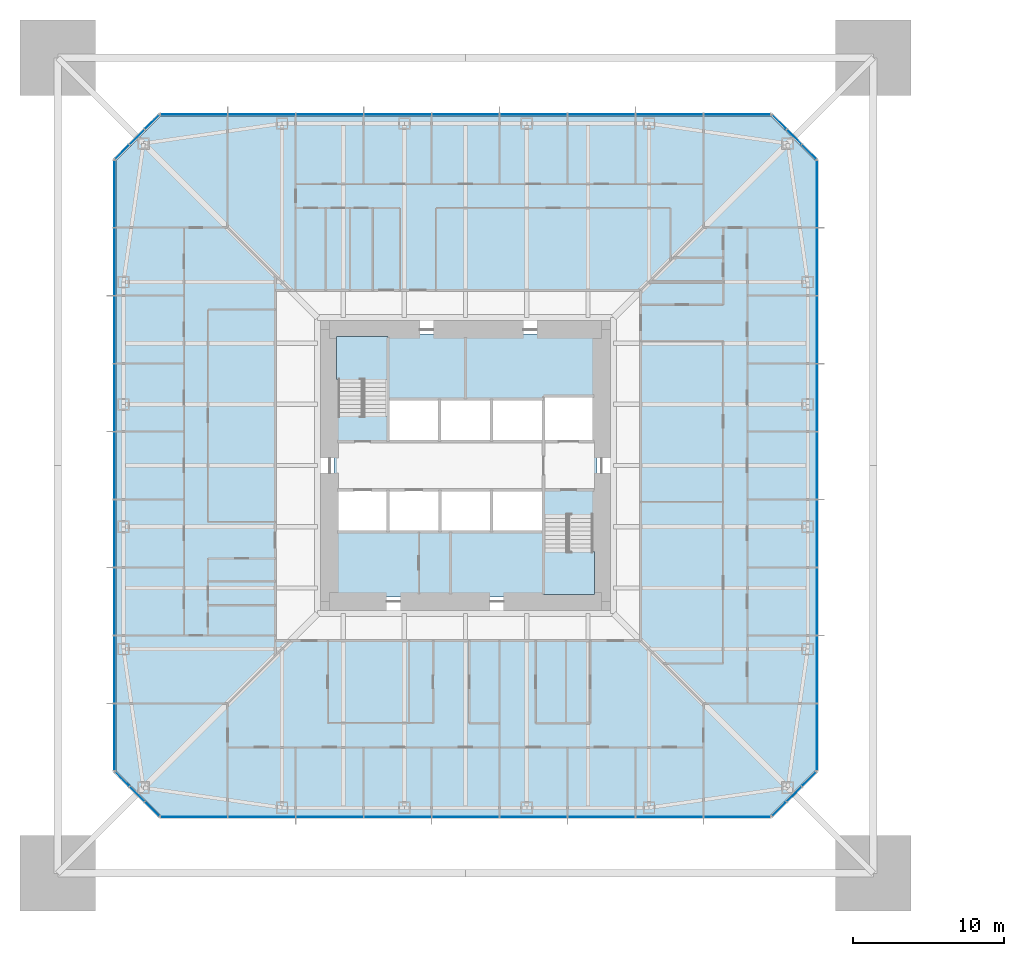
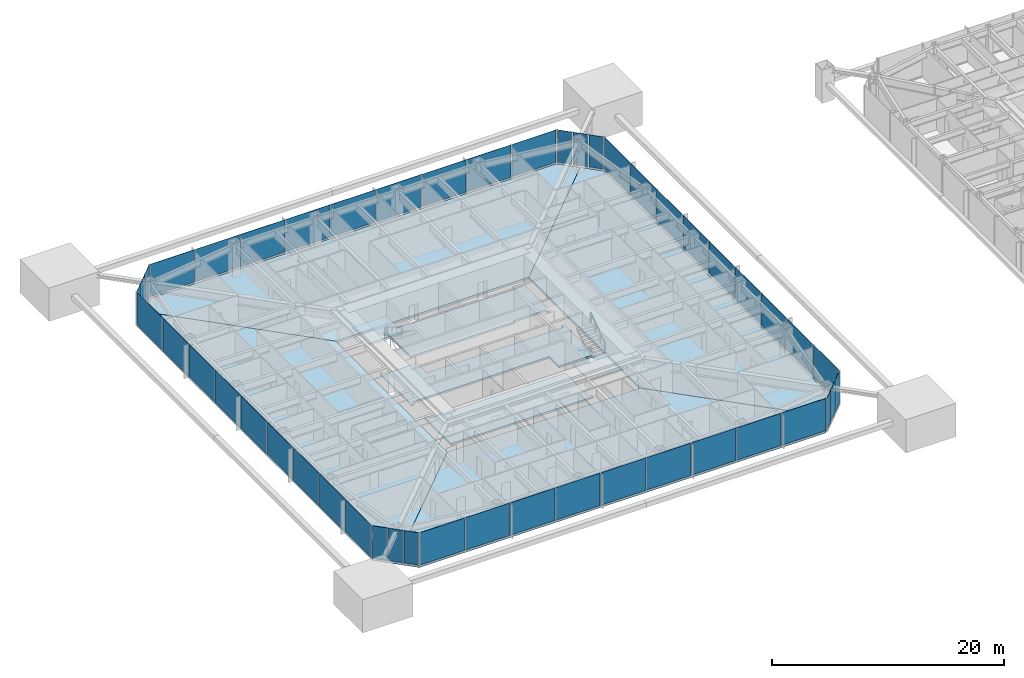
# One storey, part 13 of 27: 48 plates, 9 slabs, 10 elements without a shape of their own.
"""IFC4 building model written with IfcOpenShell, lengths in metres."""

from ifc_helpers import new_model, si_unit, direction, frame, origin, origin_2d, place, context, subcontext, project, spatial, polyline, rectangle, outline, extrude, material, layer, layer_set, constituent, constituent_set, type_object, element, aggregate, save


model = new_model("IFC4")

# Units and contexts
model_context = context("Model", 3, precision=1e-05, world=origin(), true_north=direction((0.0, 1.0)))
body_context = subcontext(model_context, "Body", "Model", "MODEL_VIEW")
ifc_project = project(units=[si_unit("LENGTHUNIT", "METRE"), si_unit("AREAUNIT", "SQUARE_METRE"), si_unit("VOLUMEUNIT", "CUBIC_METRE"), si_unit("PLANEANGLEUNIT", "RADIAN"), si_unit("MASSUNIT", "GRAM", prefix="KILO")], contexts=[model_context])

# Site, building, storey
site_placement = place(None, origin())
site = spatial("IfcSite", under=ifc_project, at=site_placement, CompositionType="ELEMENT")
building_placement = place(site_placement, origin())
building = spatial("IfcBuilding", under=site, at=building_placement, Name="Iwan Alto Co-Living Towers", CompositionType="ELEMENT")
storey_placement = place(building_placement, frame((0.0, 0.0, 53.5)))
storey = spatial("IfcBuildingStorey", under=building, at=storey_placement, Name="L14", CompositionType="ELEMENT", Elevation=53.5)

# Slabs
ifc_material_1 = material(Name="Concrete f'c 30 MPa", Category="concrete")
ifc_layer_1 = layer(ifc_material_1, 0.199951171875)
ifc_layer_set_1 = layer_set([ifc_layer_1], Name="CORE FLOOR SLAB 200")
slab_type_1 = type_object("IfcSlabType", Name="CORE FLOOR SLAB 200", PredefinedType="FLOOR", material=ifc_layer_set_1)
slab_1_placement = place(storey_placement, frame((0.0, 0.0, -0.199951171875)))
element("IfcSlab", 1, at=slab_1_placement, inside=storey, type_object=slab_type_1, Name="T1 core floor L14", PredefinedType="FLOOR", context=body_context, shape_type="SweptSolid", body=[
    extrude(outline(polyline([(8.699951171875, -3.580078125), (8.39990234375, -3.580078125), (8.39990234375, -3.27001953125), (5.14990234375, -3.27001953125), (5.14990234375, -1.60009765625), (1.72509765625, -1.60009765625), (-1.699951171875, -1.60009765625), (-5.125, -1.60009765625), (-8.39990234375, -1.60009765625), (-8.39990234375, -1.909912109375), (-8.699951171875, -1.909912109375), (-8.699951171875, 3.580078125), (-8.39990234375, 3.580078125), (-8.39990234375, 3.27001953125), (-5.14990234375, 3.27001953125), (-5.14990234375, 1.60009765625), (-1.717041015625, 1.60009765625), (1.717041015625, 1.60009765625), (5.14990234375, 1.60009765625), (8.39990234375, 1.60009765625), (8.39990234375, 1.909912109375), (8.699951171875, 1.909912109375), (8.699951171875, -3.580078125)])), origin(), (0.0, 0.0, 1.0), 0.199951171875),
])
slab_2_placement = place(storey_placement, frame((0.0, 0.0, -0.199951171875)))
element("IfcSlab", 2, at=slab_2_placement, inside=storey, type_object=slab_type_1, Name="T1 core floor L14", PredefinedType="FLOOR", context=body_context, shape_type="SweptSolid", body=[
    extrude(outline(polyline([(-1.699951171875, -4.39990234375), (1.72509765625, -4.39990234375), (5.14990234375, -4.39990234375), (5.14990234375, -8.39990234375), (5.4599609375, -8.39990234375), (5.4599609375, -8.699951171875), (-8.699951171875, -8.699951171875), (-8.699951171875, -4.090087890625), (-8.39990234375, -4.090087890625), (-8.39990234375, -4.39990234375), (-5.125, -4.39990234375), (-1.699951171875, -4.39990234375)])), origin(), (0.0, 0.0, 1.0), 0.199951171875),
])
slab_3_placement = place(storey_placement, frame((0.0, 0.0, -0.199951171875)))
element("IfcSlab", 3, at=slab_3_placement, inside=storey, type_object=slab_type_1, Name="T1 core floor L14", PredefinedType="FLOOR", context=body_context, shape_type="SweptSolid", body=[
    extrude(outline(polyline([(1.717041015625, 4.39990234375), (-1.717041015625, 4.39990234375), (-5.14990234375, 4.39990234375), (-5.14990234375, 8.39990234375), (-5.4599609375, 8.39990234375), (-5.4599609375, 8.699951171875), (8.699951171875, 8.699951171875), (8.699951171875, 4.2900390625), (8.39990234375, 4.2900390625), (8.39990234375, 4.60009765625), (5.14990234375, 4.60009765625), (5.14990234375, 4.39990234375), (1.717041015625, 4.39990234375)])), origin(), (0.0, 0.0, 1.0), 0.199951171875),
])

# Curtain wall, plates
ifc_material_2 = material(Name="Bronze aluminium unitised frame", Category="aluminium")
curtain_wall_type_1 = type_object("IfcCurtainWallType", Name="CURTAIN WALL CW-A", PredefinedType="NOTDEFINED", material=ifc_material_2)
curtain_wall_1_placement = place(storey_placement, origin())
curtain_wall_1 = element("IfcCurtainWall", 4, at=curtain_wall_1_placement, inside=storey, type_object=curtain_wall_type_1, Name="T1 curtain wall S L14", PredefinedType="NOTDEFINED")
ifc_material_3 = material(Name="Bronze-tinted insulating glass", Category="glass")
ifc_layer_2 = layer(ifc_material_3, 0.031982421875)
ifc_layer_set_2 = layer_set([ifc_layer_2], Name="CW-A PANEL TINTED IGU 32")
plate_type_1 = type_object("IfcPlateType", Name="CW-A PANEL TINTED IGU 32", PredefinedType="CURTAIN_PANEL", material=ifc_layer_set_2)
plate_1_placement = place(storey_placement, frame((-17.97998046875, -23.25, 0.10009765625), z_axis=(0.0, 0.0, 1.0), x_axis=(1.0, 0.0, 0.0)))
plate_1 = element("IfcPlate", 5, at=plate_1_placement, type_object=plate_type_1, Name="CW-A panel 1.1", PredefinedType="CURTAIN_PANEL", context=body_context, shape_type="SweptSolid", body=[
    extrude(rectangle(XDim=4.3798828125, YDim=0.031982421875, at=origin_2d()), origin(), (0.0, 0.0, 1.0), 3.39990234375),
])
plate_2_placement = place(storey_placement, frame((-13.5, -23.25, 0.10009765625), z_axis=(0.0, 0.0, 1.0), x_axis=(1.0, 0.0, 0.0)))
plate_2 = element("IfcPlate", 6, at=plate_2_placement, type_object=plate_type_1, Name="CW-A panel 2.1", PredefinedType="CURTAIN_PANEL", context=body_context, shape_type="SweptSolid", body=[
    extrude(rectangle(XDim=4.419921875, YDim=0.031982421875, at=origin_2d()), origin(), (0.0, 0.0, 1.0), 3.39990234375),
])
plate_3_placement = place(storey_placement, frame((-9.0, -23.25, 0.10009765625), z_axis=(0.0, 0.0, 1.0), x_axis=(1.0, 0.0, 0.0)))
plate_3 = element("IfcPlate", 7, at=plate_3_placement, type_object=plate_type_1, Name="CW-A panel 3.1", PredefinedType="CURTAIN_PANEL", context=body_context, shape_type="SweptSolid", body=[
    extrude(rectangle(XDim=4.419921875, YDim=0.031982421875, at=origin_2d()), origin(), (0.0, 0.0, 1.0), 3.39990234375),
])
plate_4_placement = place(storey_placement, frame((-4.5, -23.25, 0.10009765625), z_axis=(0.0, 0.0, 1.0), x_axis=(1.0, 0.0, 0.0)))
plate_4 = element("IfcPlate", 8, at=plate_4_placement, type_object=plate_type_1, Name="CW-A panel 4.1", PredefinedType="CURTAIN_PANEL", context=body_context, shape_type="SweptSolid", body=[
    extrude(rectangle(XDim=4.419921875, YDim=0.031982421875, at=origin_2d()), origin(), (0.0, 0.0, 1.0), 3.39990234375),
])
plate_5_placement = place(storey_placement, frame((0.0, -23.25, 0.10009765625), z_axis=(0.0, 0.0, 1.0), x_axis=(1.0, 0.0, 0.0)))
plate_5 = element("IfcPlate", 9, at=plate_5_placement, type_object=plate_type_1, Name="CW-A panel 5.1", PredefinedType="CURTAIN_PANEL", context=body_context, shape_type="SweptSolid", body=[
    extrude(rectangle(XDim=4.419921875, YDim=0.031982421875, at=origin_2d()), origin(), (0.0, 0.0, 1.0), 3.39990234375),
])
plate_6_placement = place(storey_placement, frame((4.5, -23.25, 0.10009765625), z_axis=(0.0, 0.0, 1.0), x_axis=(1.0, 0.0, 0.0)))
plate_6 = element("IfcPlate", 10, at=plate_6_placement, type_object=plate_type_1, Name="CW-A panel 6.1", PredefinedType="CURTAIN_PANEL", context=body_context, shape_type="SweptSolid", body=[
    extrude(rectangle(XDim=4.419921875, YDim=0.031982421875, at=origin_2d()), origin(), (0.0, 0.0, 1.0), 3.39990234375),
])
plate_7_placement = place(storey_placement, frame((9.0, -23.25, 0.10009765625), z_axis=(0.0, 0.0, 1.0), x_axis=(1.0, 0.0, 0.0)))
plate_7 = element("IfcPlate", 11, at=plate_7_placement, type_object=plate_type_1, Name="CW-A panel 7.1", PredefinedType="CURTAIN_PANEL", context=body_context, shape_type="SweptSolid", body=[
    extrude(rectangle(XDim=4.419921875, YDim=0.031982421875, at=origin_2d()), origin(), (0.0, 0.0, 1.0), 3.39990234375),
])
plate_8_placement = place(storey_placement, frame((13.5, -23.25, 0.10009765625), z_axis=(0.0, 0.0, 1.0), x_axis=(1.0, 0.0, 0.0)))
plate_8 = element("IfcPlate", 12, at=plate_8_placement, type_object=plate_type_1, Name="CW-A panel 8.1", PredefinedType="CURTAIN_PANEL", context=body_context, shape_type="SweptSolid", body=[
    extrude(rectangle(XDim=4.419921875, YDim=0.031982421875, at=origin_2d()), origin(), (0.0, 0.0, 1.0), 3.39990234375),
])
plate_9_placement = place(storey_placement, frame((17.97998046875, -23.25, 0.10009765625), z_axis=(0.0, 0.0, 1.0), x_axis=(1.0, 0.0, 0.0)))
plate_9 = element("IfcPlate", 13, at=plate_9_placement, type_object=plate_type_1, Name="CW-A panel 9.1", PredefinedType="CURTAIN_PANEL", context=body_context, shape_type="SweptSolid", body=[
    extrude(rectangle(XDim=4.3798828125, YDim=0.031982421875, at=origin_2d()), origin(), (0.0, 0.0, 1.0), 3.39990234375),
])
aggregate(curtain_wall_1, [plate_1, plate_2, plate_3, plate_4, plate_5, plate_6, plate_7, plate_8, plate_9])

curtain_wall_2_placement = place(storey_placement, origin())
curtain_wall_2 = element("IfcCurtainWall", 14, at=curtain_wall_2_placement, inside=storey, type_object=curtain_wall_type_1, Name="T1 curtain wall E L14", PredefinedType="NOTDEFINED")
plate_10_placement = place(storey_placement, frame((23.25, -17.97998046875, 0.10009765625), z_axis=(0.0, 0.0, 1.0), x_axis=(0.0, 1.0, 0.0)))
plate_10 = element("IfcPlate", 15, at=plate_10_placement, type_object=plate_type_1, Name="CW-A panel 1.1", PredefinedType="CURTAIN_PANEL", context=body_context, shape_type="SweptSolid", body=[
    extrude(rectangle(XDim=4.3798828125, YDim=0.031982421875, at=origin_2d()), origin(), (0.0, 0.0, 1.0), 3.39990234375),
])
plate_11_placement = place(storey_placement, frame((23.25, -13.5, 0.10009765625), z_axis=(0.0, 0.0, 1.0), x_axis=(0.0, 1.0, 0.0)))
plate_11 = element("IfcPlate", 16, at=plate_11_placement, type_object=plate_type_1, Name="CW-A panel 2.1", PredefinedType="CURTAIN_PANEL", context=body_context, shape_type="SweptSolid", body=[
    extrude(rectangle(XDim=4.419921875, YDim=0.031982421875, at=origin_2d()), origin(), (0.0, 0.0, 1.0), 3.39990234375),
])
plate_12_placement = place(storey_placement, frame((23.25, -9.0, 0.10009765625), z_axis=(0.0, 0.0, 1.0), x_axis=(0.0, 1.0, 0.0)))
plate_12 = element("IfcPlate", 17, at=plate_12_placement, type_object=plate_type_1, Name="CW-A panel 3.1", PredefinedType="CURTAIN_PANEL", context=body_context, shape_type="SweptSolid", body=[
    extrude(rectangle(XDim=4.419921875, YDim=0.031982421875, at=origin_2d()), origin(), (0.0, 0.0, 1.0), 3.39990234375),
])
plate_13_placement = place(storey_placement, frame((23.25, -4.5, 0.10009765625), z_axis=(0.0, 0.0, 1.0), x_axis=(0.0, 1.0, 0.0)))
plate_13 = element("IfcPlate", 18, at=plate_13_placement, type_object=plate_type_1, Name="CW-A panel 4.1", PredefinedType="CURTAIN_PANEL", context=body_context, shape_type="SweptSolid", body=[
    extrude(rectangle(XDim=4.419921875, YDim=0.031982421875, at=origin_2d()), origin(), (0.0, 0.0, 1.0), 3.39990234375),
])
plate_14_placement = place(storey_placement, frame((23.25, 0.0, 0.10009765625), z_axis=(0.0, 0.0, 1.0), x_axis=(0.0, 1.0, 0.0)))
plate_14 = element("IfcPlate", 19, at=plate_14_placement, type_object=plate_type_1, Name="CW-A panel 5.1", PredefinedType="CURTAIN_PANEL", context=body_context, shape_type="SweptSolid", body=[
    extrude(rectangle(XDim=4.419921875, YDim=0.031982421875, at=origin_2d()), origin(), (0.0, 0.0, 1.0), 3.39990234375),
])
plate_15_placement = place(storey_placement, frame((23.25, 4.5, 0.10009765625), z_axis=(0.0, 0.0, 1.0), x_axis=(0.0, 1.0, 0.0)))
plate_15 = element("IfcPlate", 20, at=plate_15_placement, type_object=plate_type_1, Name="CW-A panel 6.1", PredefinedType="CURTAIN_PANEL", context=body_context, shape_type="SweptSolid", body=[
    extrude(rectangle(XDim=4.419921875, YDim=0.031982421875, at=origin_2d()), origin(), (0.0, 0.0, 1.0), 3.39990234375),
])
plate_16_placement = place(storey_placement, frame((23.25, 9.0, 0.10009765625), z_axis=(0.0, 0.0, 1.0), x_axis=(0.0, 1.0, 0.0)))
plate_16 = element("IfcPlate", 21, at=plate_16_placement, type_object=plate_type_1, Name="CW-A panel 7.1", PredefinedType="CURTAIN_PANEL", context=body_context, shape_type="SweptSolid", body=[
    extrude(rectangle(XDim=4.419921875, YDim=0.031982421875, at=origin_2d()), origin(), (0.0, 0.0, 1.0), 3.39990234375),
])
plate_17_placement = place(storey_placement, frame((23.25, 13.5, 0.10009765625), z_axis=(0.0, 0.0, 1.0), x_axis=(0.0, 1.0, 0.0)))
plate_17 = element("IfcPlate", 22, at=plate_17_placement, type_object=plate_type_1, Name="CW-A panel 8.1", PredefinedType="CURTAIN_PANEL", context=body_context, shape_type="SweptSolid", body=[
    extrude(rectangle(XDim=4.419921875, YDim=0.031982421875, at=origin_2d()), origin(), (0.0, 0.0, 1.0), 3.39990234375),
])
plate_18_placement = place(storey_placement, frame((23.25, 17.97998046875, 0.10009765625), z_axis=(0.0, 0.0, 1.0), x_axis=(0.0, 1.0, 0.0)))
plate_18 = element("IfcPlate", 23, at=plate_18_placement, type_object=plate_type_1, Name="CW-A panel 9.1", PredefinedType="CURTAIN_PANEL", context=body_context, shape_type="SweptSolid", body=[
    extrude(rectangle(XDim=4.3798828125, YDim=0.031982421875, at=origin_2d()), origin(), (0.0, 0.0, 1.0), 3.39990234375),
])
aggregate(curtain_wall_2, [plate_10, plate_11, plate_12, plate_13, plate_14, plate_15, plate_16, plate_17, plate_18])

curtain_wall_3_placement = place(storey_placement, origin())
curtain_wall_3 = element("IfcCurtainWall", 24, at=curtain_wall_3_placement, inside=storey, type_object=curtain_wall_type_1, Name="T1 curtain wall N L14", PredefinedType="NOTDEFINED")
plate_19_placement = place(storey_placement, frame((17.97998046875, 23.25, 0.10009765625), z_axis=(0.0, 0.0, 1.0), x_axis=(-1.0, 0.0, 0.0)))
plate_19 = element("IfcPlate", 25, at=plate_19_placement, type_object=plate_type_1, Name="CW-A panel 1.1", PredefinedType="CURTAIN_PANEL", context=body_context, shape_type="SweptSolid", body=[
    extrude(rectangle(XDim=4.3798828125, YDim=0.031982421875, at=origin_2d()), origin(), (0.0, 0.0, 1.0), 3.39990234375),
])
plate_20_placement = place(storey_placement, frame((13.5, 23.25, 0.10009765625), z_axis=(0.0, 0.0, 1.0), x_axis=(-1.0, 0.0, 0.0)))
plate_20 = element("IfcPlate", 26, at=plate_20_placement, type_object=plate_type_1, Name="CW-A panel 2.1", PredefinedType="CURTAIN_PANEL", context=body_context, shape_type="SweptSolid", body=[
    extrude(rectangle(XDim=4.419921875, YDim=0.031982421875, at=origin_2d()), origin(), (0.0, 0.0, 1.0), 3.39990234375),
])
plate_21_placement = place(storey_placement, frame((9.0, 23.25, 0.10009765625), z_axis=(0.0, 0.0, 1.0), x_axis=(-1.0, 0.0, 0.0)))
plate_21 = element("IfcPlate", 27, at=plate_21_placement, type_object=plate_type_1, Name="CW-A panel 3.1", PredefinedType="CURTAIN_PANEL", context=body_context, shape_type="SweptSolid", body=[
    extrude(rectangle(XDim=4.419921875, YDim=0.031982421875, at=origin_2d()), origin(), (0.0, 0.0, 1.0), 3.39990234375),
])
plate_22_placement = place(storey_placement, frame((4.5, 23.25, 0.10009765625), z_axis=(0.0, 0.0, 1.0), x_axis=(-1.0, 0.0, 0.0)))
plate_22 = element("IfcPlate", 28, at=plate_22_placement, type_object=plate_type_1, Name="CW-A panel 4.1", PredefinedType="CURTAIN_PANEL", context=body_context, shape_type="SweptSolid", body=[
    extrude(rectangle(XDim=4.419921875, YDim=0.031982421875, at=origin_2d()), origin(), (0.0, 0.0, 1.0), 3.39990234375),
])
plate_23_placement = place(storey_placement, frame((0.0, 23.25, 0.10009765625), z_axis=(0.0, 0.0, 1.0), x_axis=(-1.0, 0.0, 0.0)))
plate_23 = element("IfcPlate", 29, at=plate_23_placement, type_object=plate_type_1, Name="CW-A panel 5.1", PredefinedType="CURTAIN_PANEL", context=body_context, shape_type="SweptSolid", body=[
    extrude(rectangle(XDim=4.419921875, YDim=0.031982421875, at=origin_2d()), origin(), (0.0, 0.0, 1.0), 3.39990234375),
])
plate_24_placement = place(storey_placement, frame((-4.5, 23.25, 0.10009765625), z_axis=(0.0, 0.0, 1.0), x_axis=(-1.0, 0.0, 0.0)))
plate_24 = element("IfcPlate", 30, at=plate_24_placement, type_object=plate_type_1, Name="CW-A panel 6.1", PredefinedType="CURTAIN_PANEL", context=body_context, shape_type="SweptSolid", body=[
    extrude(rectangle(XDim=4.419921875, YDim=0.031982421875, at=origin_2d()), origin(), (0.0, 0.0, 1.0), 3.39990234375),
])
plate_25_placement = place(storey_placement, frame((-9.0, 23.25, 0.10009765625), z_axis=(0.0, 0.0, 1.0), x_axis=(-1.0, 0.0, 0.0)))
plate_25 = element("IfcPlate", 31, at=plate_25_placement, type_object=plate_type_1, Name="CW-A panel 7.1", PredefinedType="CURTAIN_PANEL", context=body_context, shape_type="SweptSolid", body=[
    extrude(rectangle(XDim=4.419921875, YDim=0.031982421875, at=origin_2d()), origin(), (0.0, 0.0, 1.0), 3.39990234375),
])
plate_26_placement = place(storey_placement, frame((-13.5, 23.25, 0.10009765625), z_axis=(0.0, 0.0, 1.0), x_axis=(-1.0, 0.0, 0.0)))
plate_26 = element("IfcPlate", 32, at=plate_26_placement, type_object=plate_type_1, Name="CW-A panel 8.1", PredefinedType="CURTAIN_PANEL", context=body_context, shape_type="SweptSolid", body=[
    extrude(rectangle(XDim=4.419921875, YDim=0.031982421875, at=origin_2d()), origin(), (0.0, 0.0, 1.0), 3.39990234375),
])
plate_27_placement = place(storey_placement, frame((-17.97998046875, 23.25, 0.10009765625), z_axis=(0.0, 0.0, 1.0), x_axis=(-1.0, 0.0, 0.0)))
plate_27 = element("IfcPlate", 33, at=plate_27_placement, type_object=plate_type_1, Name="CW-A panel 9.1", PredefinedType="CURTAIN_PANEL", context=body_context, shape_type="SweptSolid", body=[
    extrude(rectangle(XDim=4.3798828125, YDim=0.031982421875, at=origin_2d()), origin(), (0.0, 0.0, 1.0), 3.39990234375),
])
aggregate(curtain_wall_3, [plate_19, plate_20, plate_21, plate_22, plate_23, plate_24, plate_25, plate_26, plate_27])

curtain_wall_4_placement = place(storey_placement, origin())
curtain_wall_4 = element("IfcCurtainWall", 34, at=curtain_wall_4_placement, inside=storey, type_object=curtain_wall_type_1, Name="T1 curtain wall W L14", PredefinedType="NOTDEFINED")
plate_28_placement = place(storey_placement, frame((-23.25, 17.97998046875, 0.10009765625), z_axis=(0.0, 0.0, 1.0), x_axis=(0.0, -1.0, 0.0)))
plate_28 = element("IfcPlate", 35, at=plate_28_placement, type_object=plate_type_1, Name="CW-A panel 1.1", PredefinedType="CURTAIN_PANEL", context=body_context, shape_type="SweptSolid", body=[
    extrude(rectangle(XDim=4.3798828125, YDim=0.031982421875, at=origin_2d()), origin(), (0.0, 0.0, 1.0), 3.39990234375),
])
plate_29_placement = place(storey_placement, frame((-23.25, 13.5, 0.10009765625), z_axis=(0.0, 0.0, 1.0), x_axis=(0.0, -1.0, 0.0)))
plate_29 = element("IfcPlate", 36, at=plate_29_placement, type_object=plate_type_1, Name="CW-A panel 2.1", PredefinedType="CURTAIN_PANEL", context=body_context, shape_type="SweptSolid", body=[
    extrude(rectangle(XDim=4.419921875, YDim=0.031982421875, at=origin_2d()), origin(), (0.0, 0.0, 1.0), 3.39990234375),
])
plate_30_placement = place(storey_placement, frame((-23.25, 9.0, 0.10009765625), z_axis=(0.0, 0.0, 1.0), x_axis=(0.0, -1.0, 0.0)))
plate_30 = element("IfcPlate", 37, at=plate_30_placement, type_object=plate_type_1, Name="CW-A panel 3.1", PredefinedType="CURTAIN_PANEL", context=body_context, shape_type="SweptSolid", body=[
    extrude(rectangle(XDim=4.419921875, YDim=0.031982421875, at=origin_2d()), origin(), (0.0, 0.0, 1.0), 3.39990234375),
])
plate_31_placement = place(storey_placement, frame((-23.25, 4.5, 0.10009765625), z_axis=(0.0, 0.0, 1.0), x_axis=(0.0, -1.0, 0.0)))
plate_31 = element("IfcPlate", 38, at=plate_31_placement, type_object=plate_type_1, Name="CW-A panel 4.1", PredefinedType="CURTAIN_PANEL", context=body_context, shape_type="SweptSolid", body=[
    extrude(rectangle(XDim=4.419921875, YDim=0.031982421875, at=origin_2d()), origin(), (0.0, 0.0, 1.0), 3.39990234375),
])
plate_32_placement = place(storey_placement, frame((-23.25, 0.0, 0.10009765625), z_axis=(0.0, 0.0, 1.0), x_axis=(0.0, -1.0, 0.0)))
plate_32 = element("IfcPlate", 39, at=plate_32_placement, type_object=plate_type_1, Name="CW-A panel 5.1", PredefinedType="CURTAIN_PANEL", context=body_context, shape_type="SweptSolid", body=[
    extrude(rectangle(XDim=4.419921875, YDim=0.031982421875, at=origin_2d()), origin(), (0.0, 0.0, 1.0), 3.39990234375),
])
plate_33_placement = place(storey_placement, frame((-23.25, -4.5, 0.10009765625), z_axis=(0.0, 0.0, 1.0), x_axis=(0.0, -1.0, 0.0)))
plate_33 = element("IfcPlate", 40, at=plate_33_placement, type_object=plate_type_1, Name="CW-A panel 6.1", PredefinedType="CURTAIN_PANEL", context=body_context, shape_type="SweptSolid", body=[
    extrude(rectangle(XDim=4.419921875, YDim=0.031982421875, at=origin_2d()), origin(), (0.0, 0.0, 1.0), 3.39990234375),
])
plate_34_placement = place(storey_placement, frame((-23.25, -9.0, 0.10009765625), z_axis=(0.0, 0.0, 1.0), x_axis=(0.0, -1.0, 0.0)))
plate_34 = element("IfcPlate", 41, at=plate_34_placement, type_object=plate_type_1, Name="CW-A panel 7.1", PredefinedType="CURTAIN_PANEL", context=body_context, shape_type="SweptSolid", body=[
    extrude(rectangle(XDim=4.419921875, YDim=0.031982421875, at=origin_2d()), origin(), (0.0, 0.0, 1.0), 3.39990234375),
])
plate_35_placement = place(storey_placement, frame((-23.25, -13.5, 0.10009765625), z_axis=(0.0, 0.0, 1.0), x_axis=(0.0, -1.0, 0.0)))
plate_35 = element("IfcPlate", 42, at=plate_35_placement, type_object=plate_type_1, Name="CW-A panel 8.1", PredefinedType="CURTAIN_PANEL", context=body_context, shape_type="SweptSolid", body=[
    extrude(rectangle(XDim=4.419921875, YDim=0.031982421875, at=origin_2d()), origin(), (0.0, 0.0, 1.0), 3.39990234375),
])
plate_36_placement = place(storey_placement, frame((-23.25, -17.97998046875, 0.10009765625), z_axis=(0.0, 0.0, 1.0), x_axis=(0.0, -1.0, 0.0)))
plate_36 = element("IfcPlate", 43, at=plate_36_placement, type_object=plate_type_1, Name="CW-A panel 9.1", PredefinedType="CURTAIN_PANEL", context=body_context, shape_type="SweptSolid", body=[
    extrude(rectangle(XDim=4.3798828125, YDim=0.031982421875, at=origin_2d()), origin(), (0.0, 0.0, 1.0), 3.39990234375),
])
aggregate(curtain_wall_4, [plate_28, plate_29, plate_30, plate_31, plate_32, plate_33, plate_34, plate_35, plate_36])

ifc_material_4 = material(Name="Bronze aluminium unitised frame", Category="aluminium")
curtain_wall_type_2 = type_object("IfcCurtainWallType", Name="CURTAIN WALL CW-B", PredefinedType="NOTDEFINED", material=ifc_material_4)
curtain_wall_5_placement = place(storey_placement, origin())
curtain_wall_5 = element("IfcCurtainWall", 44, at=curtain_wall_5_placement, inside=storey, type_object=curtain_wall_type_2, Name="T1 chamfer curtain wall SE L14", PredefinedType="NOTDEFINED")
ifc_material_5 = material(Name="Bronze-tinted insulating glass", Category="glass")
ifc_layer_3 = layer(ifc_material_5, 0.031982421875)
ifc_layer_set_3 = layer_set([ifc_layer_3], Name="CW-B PANEL TINTED IGU 32")
plate_type_2 = type_object("IfcPlateType", Name="CW-B PANEL TINTED IGU 32", PredefinedType="CURTAIN_PANEL", material=ifc_layer_set_3)
plate_37_placement = place(storey_placement, frame((20.76416015625, -22.73583984375, 0.10009765625), z_axis=(0.0, 0.0, 1.0), x_axis=(0.707106781187, 0.707106781187, 0.0)))
plate_37 = element("IfcPlate", 45, at=plate_37_placement, type_object=plate_type_2, Name="CW-B panel 1.1", PredefinedType="CURTAIN_PANEL", context=body_context, shape_type="SweptSolid", body=[
    extrude(rectangle(XDim=1.294189453125, YDim=0.031982421875, at=origin_2d()), origin(), (0.0, 0.0, 1.0), 3.39990234375),
])
plate_38_placement = place(storey_placement, frame((21.75, -21.75, 0.10009765625), z_axis=(0.0, 0.0, 1.0), x_axis=(0.707106781187, 0.707106781187, 0.0)))
plate_38 = element("IfcPlate", 46, at=plate_38_placement, type_object=plate_type_2, Name="CW-B panel 2.1", PredefinedType="CURTAIN_PANEL", context=body_context, shape_type="SweptSolid", body=[
    extrude(rectangle(XDim=1.334228515625, YDim=0.031982421875, at=origin_2d()), origin(), (0.0, 0.0, 1.0), 3.39990234375),
])
plate_39_placement = place(storey_placement, frame((22.73583984375, -20.76416015625, 0.10009765625), z_axis=(0.0, 0.0, 1.0), x_axis=(0.707106781187, 0.707106781187, 0.0)))
plate_39 = element("IfcPlate", 47, at=plate_39_placement, type_object=plate_type_2, Name="CW-B panel 3.1", PredefinedType="CURTAIN_PANEL", context=body_context, shape_type="SweptSolid", body=[
    extrude(rectangle(XDim=1.294189453125, YDim=0.031982421875, at=origin_2d()), origin(), (0.0, 0.0, 1.0), 3.39990234375),
])
aggregate(curtain_wall_5, [plate_37, plate_38, plate_39])

curtain_wall_6_placement = place(storey_placement, origin())
curtain_wall_6 = element("IfcCurtainWall", 48, at=curtain_wall_6_placement, inside=storey, type_object=curtain_wall_type_2, Name="T1 chamfer curtain wall NE L14", PredefinedType="NOTDEFINED")
plate_40_placement = place(storey_placement, frame((22.73583984375, 20.76416015625, 0.10009765625), z_axis=(0.0, 0.0, 1.0), x_axis=(-0.707106781187, 0.707106781187, 0.0)))
plate_40 = element("IfcPlate", 49, at=plate_40_placement, type_object=plate_type_2, Name="CW-B panel 1.1", PredefinedType="CURTAIN_PANEL", context=body_context, shape_type="SweptSolid", body=[
    extrude(rectangle(XDim=1.294189453125, YDim=0.031982421875, at=origin_2d()), origin(), (0.0, 0.0, 1.0), 3.39990234375),
])
plate_41_placement = place(storey_placement, frame((21.75, 21.75, 0.10009765625), z_axis=(0.0, 0.0, 1.0), x_axis=(-0.707106781187, 0.707106781187, 0.0)))
plate_41 = element("IfcPlate", 50, at=plate_41_placement, type_object=plate_type_2, Name="CW-B panel 2.1", PredefinedType="CURTAIN_PANEL", context=body_context, shape_type="SweptSolid", body=[
    extrude(rectangle(XDim=1.334228515625, YDim=0.031982421875, at=origin_2d()), origin(), (0.0, 0.0, 1.0), 3.39990234375),
])
plate_42_placement = place(storey_placement, frame((20.76416015625, 22.73583984375, 0.10009765625), z_axis=(0.0, 0.0, 1.0), x_axis=(-0.707106781187, 0.707106781187, 0.0)))
plate_42 = element("IfcPlate", 51, at=plate_42_placement, type_object=plate_type_2, Name="CW-B panel 3.1", PredefinedType="CURTAIN_PANEL", context=body_context, shape_type="SweptSolid", body=[
    extrude(rectangle(XDim=1.294189453125, YDim=0.031982421875, at=origin_2d()), origin(), (0.0, 0.0, 1.0), 3.39990234375),
])
aggregate(curtain_wall_6, [plate_40, plate_41, plate_42])

curtain_wall_7_placement = place(storey_placement, origin())
curtain_wall_7 = element("IfcCurtainWall", 52, at=curtain_wall_7_placement, inside=storey, type_object=curtain_wall_type_2, Name="T1 chamfer curtain wall NW L14", PredefinedType="NOTDEFINED")
plate_43_placement = place(storey_placement, frame((-20.76416015625, 22.73583984375, 0.10009765625), z_axis=(0.0, 0.0, 1.0), x_axis=(-0.707106781187, -0.707106781187, 0.0)))
plate_43 = element("IfcPlate", 53, at=plate_43_placement, type_object=plate_type_2, Name="CW-B panel 1.1", PredefinedType="CURTAIN_PANEL", context=body_context, shape_type="SweptSolid", body=[
    extrude(rectangle(XDim=1.294189453125, YDim=0.031982421875, at=origin_2d()), origin(), (0.0, 0.0, 1.0), 3.39990234375),
])
plate_44_placement = place(storey_placement, frame((-21.75, 21.75, 0.10009765625), z_axis=(0.0, 0.0, 1.0), x_axis=(-0.707106781187, -0.707106781187, 0.0)))
plate_44 = element("IfcPlate", 54, at=plate_44_placement, type_object=plate_type_2, Name="CW-B panel 2.1", PredefinedType="CURTAIN_PANEL", context=body_context, shape_type="SweptSolid", body=[
    extrude(rectangle(XDim=1.334228515625, YDim=0.031982421875, at=origin_2d()), origin(), (0.0, 0.0, 1.0), 3.39990234375),
])
plate_45_placement = place(storey_placement, frame((-22.73583984375, 20.76416015625, 0.10009765625), z_axis=(0.0, 0.0, 1.0), x_axis=(-0.707106781187, -0.707106781187, 0.0)))
plate_45 = element("IfcPlate", 55, at=plate_45_placement, type_object=plate_type_2, Name="CW-B panel 3.1", PredefinedType="CURTAIN_PANEL", context=body_context, shape_type="SweptSolid", body=[
    extrude(rectangle(XDim=1.294189453125, YDim=0.031982421875, at=origin_2d()), origin(), (0.0, 0.0, 1.0), 3.39990234375),
])
aggregate(curtain_wall_7, [plate_43, plate_44, plate_45])

curtain_wall_8_placement = place(storey_placement, origin())
curtain_wall_8 = element("IfcCurtainWall", 56, at=curtain_wall_8_placement, inside=storey, type_object=curtain_wall_type_2, Name="T1 chamfer curtain wall SW L14", PredefinedType="NOTDEFINED")
plate_46_placement = place(storey_placement, frame((-22.73583984375, -20.76416015625, 0.10009765625), z_axis=(0.0, 0.0, 1.0), x_axis=(0.707106781187, -0.707106781187, 0.0)))
plate_46 = element("IfcPlate", 57, at=plate_46_placement, type_object=plate_type_2, Name="CW-B panel 1.1", PredefinedType="CURTAIN_PANEL", context=body_context, shape_type="SweptSolid", body=[
    extrude(rectangle(XDim=1.294189453125, YDim=0.031982421875, at=origin_2d()), origin(), (0.0, 0.0, 1.0), 3.39990234375),
])
plate_47_placement = place(storey_placement, frame((-21.75, -21.75, 0.10009765625), z_axis=(0.0, 0.0, 1.0), x_axis=(0.707106781187, -0.707106781187, 0.0)))
plate_47 = element("IfcPlate", 58, at=plate_47_placement, type_object=plate_type_2, Name="CW-B panel 2.1", PredefinedType="CURTAIN_PANEL", context=body_context, shape_type="SweptSolid", body=[
    extrude(rectangle(XDim=1.334228515625, YDim=0.031982421875, at=origin_2d()), origin(), (0.0, 0.0, 1.0), 3.39990234375),
])
plate_48_placement = place(storey_placement, frame((-20.76416015625, -22.73583984375, 0.10009765625), z_axis=(0.0, 0.0, 1.0), x_axis=(0.707106781187, -0.707106781187, 0.0)))
plate_48 = element("IfcPlate", 59, at=plate_48_placement, type_object=plate_type_2, Name="CW-B panel 3.1", PredefinedType="CURTAIN_PANEL", context=body_context, shape_type="SweptSolid", body=[
    extrude(rectangle(XDim=1.294189453125, YDim=0.031982421875, at=origin_2d()), origin(), (0.0, 0.0, 1.0), 3.39990234375),
])
aggregate(curtain_wall_8, [plate_46, plate_47, plate_48])

# Stair, slab
ifc_material_6 = material(Name="Steel ASTM A36", Category="steel")
ifc_constituent_1 = constituent(ifc_material_6, Name="Stringers", Category="LoadBearing")
ifc_material_7 = material(Name="Concrete f'c 30 MPa", Category="concrete")
ifc_constituent_2 = constituent(ifc_material_7, Name="Tread fill", Category="Finish")
ifc_constituent_set = constituent_set(constituents=[ifc_constituent_1, ifc_constituent_2], Name="STAIR 3500 TWO-FLIGHT T1 CORE")
stair_type = type_object("IfcStairType", Name="STAIR 3500 TWO-FLIGHT T1 CORE", PredefinedType="HALF_TURN_STAIR", material=ifc_constituent_set)
stair_1_placement = place(storey_placement, origin())
stair_1 = element("IfcStair", 60, at=stair_1_placement, inside=storey, type_object=stair_type, Name="Stair T1-S1 L14 to L15", PredefinedType="HALF_TURN_STAIR")
ifc_material_8 = material(Name="Concrete f'c 30 MPa", Category="concrete")
ifc_layer_4 = layer(ifc_material_8, 0.199951171875)
ifc_layer_set_4 = layer_set([ifc_layer_4], Name="STAIR LANDING 200")
slab_type_2 = type_object("IfcSlabType", Name="STAIR LANDING 200", PredefinedType="LANDING", material=ifc_layer_set_4)
slab_4_placement = place(storey_placement, frame((0.0, 0.0, 1.550048828125)))
slab_4 = element("IfcSlab", 61, at=slab_4_placement, type_object=slab_type_2, Name="T1-S1 landing 1", PredefinedType="LANDING", context=body_context, shape_type="SweptSolid", body=[
    extrude(outline(polyline([(-8.550048828125, 5.68994140625), (-8.550048828125, 8.550048828125), (-5.14990234375, 8.550048828125), (-5.14990234375, 5.68994140625), (-8.550048828125, 5.68994140625)])), origin(), (0.0, 0.0, 1.0), 0.199951171875),
])
aggregate(stair_1, [slab_4])

stair_2_placement = place(storey_placement, origin())
stair_2 = element("IfcStair", 62, at=stair_2_placement, inside=storey, type_object=stair_type, Name="Stair T1-S2 L14 to L15", PredefinedType="HALF_TURN_STAIR")
slab_5_placement = place(storey_placement, frame((0.0, 0.0, 1.550048828125)))
slab_5 = element("IfcSlab", 63, at=slab_5_placement, type_object=slab_type_2, Name="T1-S2 landing 1", PredefinedType="LANDING", context=body_context, shape_type="SweptSolid", body=[
    extrude(outline(polyline([(5.14990234375, -5.68994140625), (5.14990234375, -8.550048828125), (8.550048828125, -8.550048828125), (8.550048828125, -5.68994140625), (5.14990234375, -5.68994140625)])), origin(), (0.0, 0.0, 1.0), 0.199951171875),
])
aggregate(stair_2, [slab_5])

# Slabs
ifc_material_9 = material(Name="Concrete f'c 30 MPa", Category="concrete")
ifc_layer_5 = layer(ifc_material_9, 0.22998046875)
ifc_layer_set_5 = layer_set([ifc_layer_5], Name="T1 FLOOR SLAB 230")
slab_type_3 = type_object("IfcSlabType", Name="T1 FLOOR SLAB 230", PredefinedType="FLOOR", material=ifc_layer_set_5)
slab_6_placement = place(storey_placement, frame((0.0, 0.0, -0.22998046875)))
element("IfcSlab", 64, at=slab_6_placement, inside=storey, type_object=slab_type_3, Name="T1 floor slab L14 S pour", PredefinedType="FLOOR", context=body_context, shape_type="SweptSolid", body=[
    extrude(outline(polyline([(20.19140625, -23.14990234375), (-20.19140625, -23.14990234375), (-21.670654296875, -21.670654296875), (-9.60009765625, -9.60009765625), (9.60009765625, -9.60009765625), (21.670654296875, -21.670654296875), (20.19140625, -23.14990234375)])), origin(), (0.0, 0.0, 1.0), 0.22998046875),
])
slab_7_placement = place(storey_placement, frame((0.0, 0.0, -0.22998046875)))
element("IfcSlab", 65, at=slab_7_placement, inside=storey, type_object=slab_type_3, Name="T1 floor slab L14 E pour", PredefinedType="FLOOR", context=body_context, shape_type="SweptSolid", body=[
    extrude(outline(polyline([(23.14990234375, 20.19140625), (23.14990234375, -20.19140625), (21.670654296875, -21.670654296875), (9.60009765625, -9.60009765625), (9.60009765625, 9.60009765625), (21.670654296875, 21.670654296875), (23.14990234375, 20.19140625)])), origin(), (0.0, 0.0, 1.0), 0.22998046875),
])
slab_8_placement = place(storey_placement, frame((0.0, 0.0, -0.22998046875)))
element("IfcSlab", 66, at=slab_8_placement, inside=storey, type_object=slab_type_3, Name="T1 floor slab L14 N pour", PredefinedType="FLOOR", context=body_context, shape_type="SweptSolid", body=[
    extrude(outline(polyline([(-20.19140625, 23.14990234375), (20.19140625, 23.14990234375), (21.670654296875, 21.670654296875), (9.60009765625, 9.60009765625), (-9.60009765625, 9.60009765625), (-21.670654296875, 21.670654296875), (-20.19140625, 23.14990234375)])), origin(), (0.0, 0.0, 1.0), 0.22998046875),
])
slab_9_placement = place(storey_placement, frame((0.0, 0.0, -0.22998046875)))
element("IfcSlab", 67, at=slab_9_placement, inside=storey, type_object=slab_type_3, Name="T1 floor slab L14 W pour", PredefinedType="FLOOR", context=body_context, shape_type="SweptSolid", body=[
    extrude(outline(polyline([(-23.14990234375, 20.19140625), (-21.670654296875, 21.670654296875), (-9.60009765625, 9.60009765625), (-9.60009765625, -9.60009765625), (-21.670654296875, -21.670654296875), (-23.14990234375, -20.19140625), (-23.14990234375, 20.19140625)])), origin(), (0.0, 0.0, 1.0), 0.22998046875),
])

save(model, "model.ifc")
